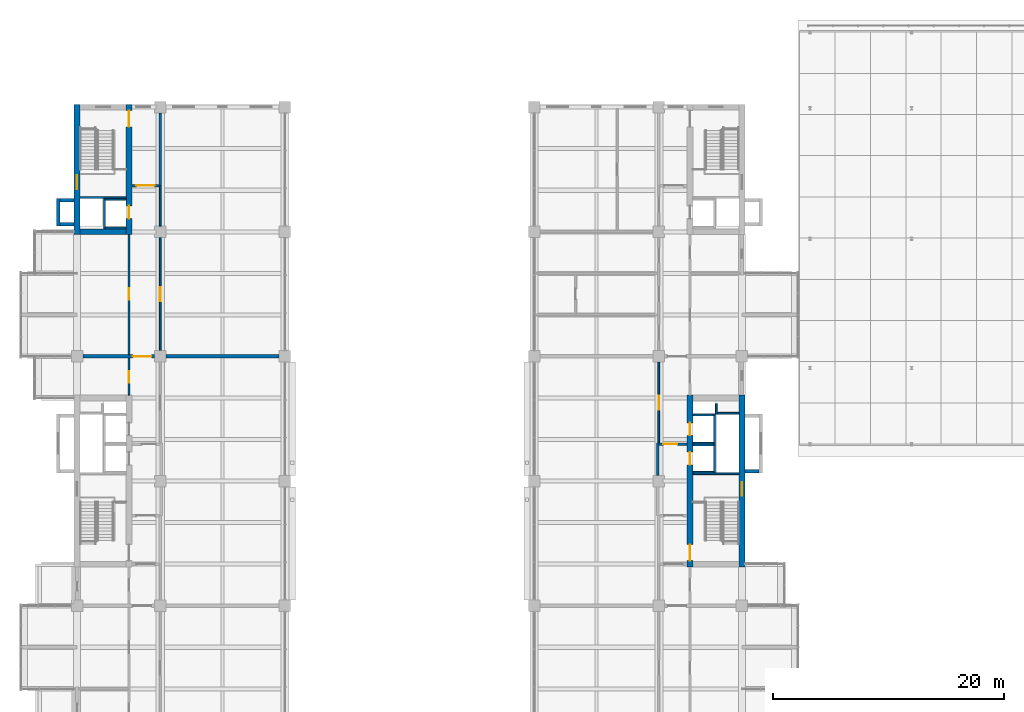
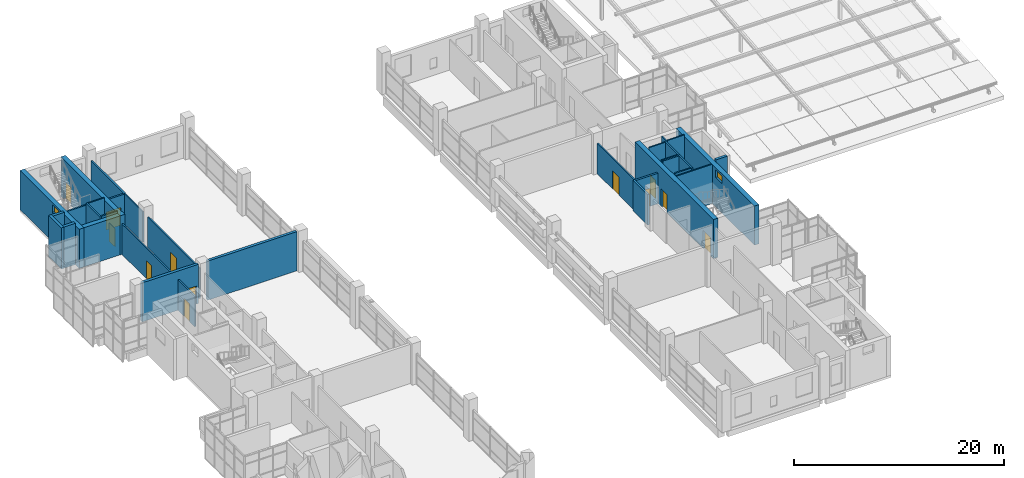
# One storey, part 38 of 44: 33 walls, 12 doors, 2 windows, 14 openings.
"""IFC4 building model written with IfcOpenShell, lengths in metres."""

from ifc_helpers import new_model, si_unit, direction, frame, frame_2d, origin, place, context, subcontext, project, spatial, rectangle, extrude, material, layer, layer_set, type_object, element, fill, save


model = new_model("IFC4")

# Units and contexts
model_context = context("Model", 3, precision=1e-05, world=origin(), true_north=direction((0.0, 1.0)))
body_context = subcontext(model_context, "Body", "Model", "MODEL_VIEW")
ifc_project = project(units=[si_unit("LENGTHUNIT", "METRE"), si_unit("AREAUNIT", "SQUARE_METRE"), si_unit("VOLUMEUNIT", "CUBIC_METRE"), si_unit("PLANEANGLEUNIT", "RADIAN"), si_unit("MASSUNIT", "GRAM", prefix="KILO")], contexts=[model_context])

# Site, building, storey
site_placement = place(None, origin())
site = spatial("IfcSite", under=ifc_project, at=site_placement, CompositionType="ELEMENT")
building_placement = place(site_placement, origin())
building = spatial("IfcBuilding", under=site, at=building_placement, Name="Basin Gate Institute", CompositionType="ELEMENT")
storey_placement = place(building_placement, frame((0.0, 0.0, 27.0)))
storey = spatial("IfcBuildingStorey", under=building, at=storey_placement, Name="L05", CompositionType="ELEMENT", Elevation=27.0)

# Wall, opening, door
ifc_material_1 = material(Name="Fire-rated masonry", Category="masonry")
ifc_layer_1 = layer(ifc_material_1, 0.199951171875)
ifc_layer_set_1 = layer_set([ifc_layer_1], Name="Enclosure wall PW2 200 EI 60")
wall_type_1 = type_object("IfcWallType", Name="Enclosure wall PW2 200 EI 60", PredefinedType="PARTITIONING", material=ifc_layer_set_1)
wall_1_placement = place(storey_placement, frame((65.949951171875, 93.10009765625, 0.0), z_axis=(0.0, 0.0, 1.0), x_axis=(1.0, 0.0, 0.0)))
wall_1 = element("IfcWall", 1, at=wall_1_placement, inside=storey, type_object=wall_type_1, material=ifc_layer_set_1, Name="Smoke lobby enclosure wall PW2 L05", PredefinedType="PARTITIONING", context=body_context, shape_type="SweptSolid", body=[
    extrude(rectangle(XDim=2.35009765625, YDim=0.199951171875, at=frame_2d((1.175048828125, 0.0))), origin(), (0.0, 0.0, 1.0), 3.550048828125),
])
opening_1_placement = place(wall_1_placement, frame((0.375, 0.0, 0.0)))
opening_1 = element("IfcOpeningElement", 2, at=opening_1_placement, cuts=wall_1, Name="Opening DR279", PredefinedType="OPENING", context=body_context, shape_type="SweptSolid", body=[
    extrude(rectangle(XDim=1.60009765625, YDim=2.10009765625, at=frame_2d((0.800048828125, 1.050048828125))), frame((0.0, 0.10986328125, 0.0), z_axis=(0.0, -1.0, 0.0), x_axis=(1.0, 0.0, 0.0)), (0.0, 0.0, 1.0), 0.219970703125),
])
ifc_material_2 = material(Name="Steel fire door", Category="steel")
door_type_1 = type_object("IfcDoorType", Name="FD60 Smoke lobby door pair D8", OperationType="DOUBLE_DOOR_SINGLE_SWING", PredefinedType="DOOR", material=ifc_material_2)
door_1_placement = place(opening_1_placement, origin())
door_1 = element("IfcDoor", 3, at=door_1_placement, inside=storey, type_object=door_type_1, material=ifc_material_2, Name="Smoke lobby door SS3 L05", OperationType="DOUBLE_DOOR_SINGLE_SWING", OverallHeight=2.10009765625, OverallWidth=1.60009765625, PredefinedType="DOOR", context=body_context, shape_type="SweptSolid", body=[
    extrude(rectangle(XDim=1.60009765625, YDim=2.10009765625, at=frame_2d((0.800048828125, 1.050048828125))), frame((0.0, 0.02490234375, 0.0), z_axis=(0.0, -1.0, 0.0), x_axis=(1.0, 0.0, 0.0)), (0.0, 0.0, 1.0), 0.050048828125),
])
fill(opening_1, door_1)

# Wall
wall_2_placement = place(storey_placement, frame((68.39990234375, 93.10009765625, 0.0), z_axis=(0.0, 0.0, 1.0), x_axis=(0.0, 1.0, 0.0)))
element("IfcWall", 4, at=wall_2_placement, inside=storey, type_object=wall_type_1, material=ifc_layer_set_1, Name="Smoke lobby enclosure wall PW2 L05", PredefinedType="PARTITIONING", context=body_context, shape_type="SweptSolid", body=[
    extrude(rectangle(XDim=6.2998046875, YDim=0.199951171875, at=frame_2d((3.14990234375, 0.0))), origin(), (0.0, 0.0, 1.0), 3.550048828125),
])

# Wall, opening, door
wall_3_placement = place(storey_placement, frame((114.050048828125, 70.699951171875, 0.0), z_axis=(0.0, 0.0, 1.0), x_axis=(-1.0, 0.0, 0.0)))
wall_3 = element("IfcWall", 5, at=wall_3_placement, inside=storey, type_object=wall_type_1, material=ifc_layer_set_1, Name="Emergency lift lobby wall PW2 L05", PredefinedType="PARTITIONING", context=body_context, shape_type="SweptSolid", body=[
    extrude(rectangle(XDim=2.449951171875, YDim=0.199951171875, at=frame_2d((1.22509765625, 0.0))), origin(), (0.0, 0.0, 1.0), 3.550048828125),
])
opening_2_placement = place(wall_3_placement, frame((0.85009765625, 0.0, 0.0)))
opening_2 = element("IfcOpeningElement", 6, at=opening_2_placement, cuts=wall_3, Name="Opening DR260", PredefinedType="OPENING", context=body_context, shape_type="SweptSolid", body=[
    extrude(rectangle(XDim=1.199951171875, YDim=2.10009765625, at=frame_2d((0.60009765625, 1.050048828125))), frame((0.0, 0.10986328125, 0.0), z_axis=(0.0, -1.0, 0.0), x_axis=(1.0, 0.0, 0.0)), (0.0, 0.0, 1.0), 0.219970703125),
])
ifc_material_3 = material(Name="Steel fire door", Category="steel")
door_type_2 = type_object("IfcDoorType", Name="FD60 Emergency lift lobby door D9", OperationType="NOTDEFINED", PredefinedType="DOOR", material=ifc_material_3)
door_2_placement = place(opening_2_placement, origin())
door_2 = element("IfcDoor", 7, at=door_2_placement, inside=storey, type_object=door_type_2, material=ifc_material_3, Name="Emergency lift lobby door LF2 L05", OperationType="SINGLE_SWING_RIGHT", OverallHeight=2.10009765625, OverallWidth=1.199951171875, PredefinedType="DOOR", context=body_context, shape_type="SweptSolid", body=[
    extrude(rectangle(XDim=1.199951171875, YDim=2.10009765625, at=frame_2d((0.60009765625, 1.050048828125))), frame((0.0, 0.02490234375, 0.0), z_axis=(0.0, -1.0, 0.0), x_axis=(1.0, 0.0, 0.0)), (0.0, 0.0, 1.0), 0.050048828125),
])
fill(opening_2, door_2)

# Wall
wall_4_placement = place(storey_placement, frame((111.5, 68.0, 0.0), z_axis=(0.0, 0.0, 1.0), x_axis=(0.0, 1.0, 0.0)))
element("IfcWall", 8, at=wall_4_placement, inside=storey, type_object=wall_type_1, material=ifc_layer_set_1, Name="Emergency lift lobby wall PW2 L05", PredefinedType="PARTITIONING", context=body_context, shape_type="SweptSolid", body=[
    extrude(rectangle(XDim=2.800048828125, YDim=0.199951171875, at=frame_2d((1.39990234375, 0.0))), origin(), (0.0, 0.0, 1.0), 3.550048828125),
])

# Wall, opening, door
ifc_material_4 = material(Name="Gypsum board on steel stud", Category="steel")
ifc_layer_2 = layer(ifc_material_4, 0.14990234375)
ifc_layer_set_2 = layer_set([ifc_layer_2], Name="Gypsum board on steel stud")
wall_type_2 = type_object("IfcWallType", Name="Partition PW1 150 EI 60", PredefinedType="PARTITIONING", material=ifc_layer_set_2)
wall_5_placement = place(storey_placement, frame((65.699951171875, 74.949951171875, 0.0), z_axis=(0.0, 0.0, 1.0), x_axis=(0.0, 1.0, 0.0)))
wall_5 = element("IfcWall", 9, at=wall_5_placement, inside=storey, type_object=wall_type_2, material=ifc_layer_set_2, Name="Corridor wall PW1 L05", PredefinedType="PARTITIONING", context=body_context, shape_type="SweptSolid", body=[
    extrude(rectangle(XDim=3.199951171875, YDim=0.14990234375, at=frame_2d((1.60009765625, 0.0))), origin(), (0.0, 0.0, 1.0), 3.550048828125),
])
opening_3_placement = place(wall_5_placement, frame((1.050048828125, 0.0, 0.0)))
opening_3 = element("IfcOpeningElement", 10, at=opening_3_placement, cuts=wall_5, Name="Opening DR270", PredefinedType="OPENING", context=body_context, shape_type="SweptSolid", body=[
    extrude(rectangle(XDim=1.0, YDim=2.10009765625, at=frame_2d((0.5, 1.050048828125))), frame((0.0, 0.0849609375, 0.0), z_axis=(0.0, -1.0, 0.0), x_axis=(1.0, 0.0, 0.0)), (0.0, 0.0, 1.0), 0.169921875),
])
ifc_material_5 = material(Name="Timber fire door", Category="wood")
door_type_3 = type_object("IfcDoorType", Name="FD30 Office door D1", OperationType="NOTDEFINED", PredefinedType="DOOR", material=ifc_material_5)
door_3_placement = place(opening_3_placement, origin())
door_3 = element("IfcDoor", 11, at=door_3_placement, inside=storey, type_object=door_type_3, material=ifc_material_5, Name="Door to Meeting Room 0504 L05", OperationType="SINGLE_SWING_LEFT", OverallHeight=2.10009765625, OverallWidth=1.0, PredefinedType="DOOR", context=body_context, shape_type="SweptSolid", body=[
    extrude(rectangle(XDim=1.0, YDim=2.10009765625, at=frame_2d((0.5, 1.050048828125))), frame((0.0, 0.02490234375, 0.0), z_axis=(0.0, -1.0, 0.0), x_axis=(1.0, 0.0, 0.0)), (0.0, 0.0, 1.0), 0.050048828125),
])
fill(opening_3, door_3)

wall_6_placement = place(storey_placement, frame((65.699951171875, 78.449951171875, 0.0), z_axis=(0.0, 0.0, 1.0), x_axis=(0.0, 1.0, 0.0)))
wall_6 = element("IfcWall", 12, at=wall_6_placement, inside=storey, type_object=wall_type_2, material=ifc_layer_set_2, Name="Corridor wall PW1 L05", PredefinedType="PARTITIONING", context=body_context, shape_type="SweptSolid", body=[
    extrude(rectangle(XDim=10.400146484375, YDim=0.14990234375, at=frame_2d((5.2001953125, 0.0))), origin(), (0.0, 0.0, 1.0), 3.550048828125),
])
opening_4_placement = place(wall_6_placement, frame((4.75, 0.0, 0.0)))
opening_4 = element("IfcOpeningElement", 13, at=opening_4_placement, cuts=wall_6, Name="Opening DR269", PredefinedType="OPENING", context=body_context, shape_type="SweptSolid", body=[
    extrude(rectangle(XDim=1.0, YDim=2.10009765625, at=frame_2d((0.5, 1.050048828125))), frame((0.0, 0.0849609375, 0.0), z_axis=(0.0, -1.0, 0.0), x_axis=(1.0, 0.0, 0.0)), (0.0, 0.0, 1.0), 0.169921875),
])
door_4_placement = place(opening_4_placement, origin())
door_4 = element("IfcDoor", 14, at=door_4_placement, inside=storey, type_object=door_type_3, material=ifc_material_5, Name="Door to Library Carrel Room 0505 L05", OperationType="SINGLE_SWING_LEFT", OverallHeight=2.10009765625, OverallWidth=1.0, PredefinedType="DOOR", context=body_context, shape_type="SweptSolid", body=[
    extrude(rectangle(XDim=1.0, YDim=2.10009765625, at=frame_2d((0.5, 1.050048828125))), frame((0.0, 0.02490234375, 0.0), z_axis=(0.0, -1.0, 0.0), x_axis=(1.0, 0.0, 0.0)), (0.0, 0.0, 1.0), 0.050048828125),
])
fill(opening_4, door_4)

wall_7_placement = place(storey_placement, frame((68.39990234375, 78.800048828125, 0.0), z_axis=(0.0, 0.0, 1.0), x_axis=(0.0, 1.0, 0.0)))
wall_7 = element("IfcWall", 15, at=wall_7_placement, inside=storey, type_object=wall_type_2, material=ifc_layer_set_2, Name="Laboratory corridor wall PW1 L05", PredefinedType="PARTITIONING", context=body_context, shape_type="SweptSolid", body=[
    extrude(rectangle(XDim=9.800048828125, YDim=0.14990234375, at=frame_2d((4.89990234375, 0.0))), origin(), (0.0, 0.0, 1.0), 3.550048828125),
])
opening_5_placement = place(wall_7_placement, frame((4.300048828125, 0.0, 0.0)))
opening_5 = element("IfcOpeningElement", 16, at=opening_5_placement, cuts=wall_7, Name="Opening DR274", PredefinedType="OPENING", context=body_context, shape_type="SweptSolid", body=[
    extrude(rectangle(XDim=1.199951171875, YDim=2.10009765625, at=frame_2d((0.60009765625, 1.050048828125))), frame((0.0, 0.0849609375, 0.0), z_axis=(0.0, -1.0, 0.0), x_axis=(1.0, 0.0, 0.0)), (0.0, 0.0, 1.0), 0.169921875),
])
ifc_material_6 = material(Name="Timber fire door", Category="wood")
door_type_4 = type_object("IfcDoorType", Name="FD30 Laboratory door D2", OperationType="DOUBLE_DOOR_SINGLE_SWING", PredefinedType="DOOR", material=ifc_material_6)
door_5_placement = place(opening_5_placement, frame((1.199951171875, 0.0, 0.0), z_axis=(0.0, 0.0, 1.0), x_axis=(-1.0, 0.0, 0.0)))
door_5 = element("IfcDoor", 17, at=door_5_placement, inside=storey, type_object=door_type_4, material=ifc_material_6, Name="Door to Wet Laboratory 0516 L05", OperationType="DOUBLE_DOOR_SINGLE_SWING", OverallHeight=2.10009765625, OverallWidth=1.199951171875, PredefinedType="DOOR", context=body_context, shape_type="SweptSolid", body=[
    extrude(rectangle(XDim=1.199951171875, YDim=2.10009765625, at=frame_2d((0.60009765625, 1.050048828125))), frame((0.0, 0.02490234375, 0.0), z_axis=(0.0, -1.0, 0.0), x_axis=(1.0, 0.0, 0.0)), (0.0, 0.0, 1.0), 0.050048828125),
])
fill(opening_5, door_5)

# Wall
wall_8_placement = place(storey_placement, frame((68.39990234375, 89.60009765625, 0.0), z_axis=(0.0, 0.0, 1.0), x_axis=(0.0, 1.0, 0.0)))
element("IfcWall", 18, at=wall_8_placement, inside=storey, type_object=wall_type_2, material=ifc_layer_set_2, Name="Laboratory corridor wall PW1 L05", PredefinedType="PARTITIONING", context=body_context, shape_type="SweptSolid", body=[
    extrude(rectangle(XDim=3.5, YDim=0.14990234375, at=frame_2d((1.75, 0.0))), origin(), (0.0, 0.0, 1.0), 3.550048828125),
])

# Wall, opening, door
wall_9_placement = place(storey_placement, frame((111.60009765625, 70.800048828125, 0.0), z_axis=(0.0, 0.0, 1.0), x_axis=(0.0, 1.0, 0.0)))
wall_9 = element("IfcWall", 19, at=wall_9_placement, inside=storey, type_object=wall_type_2, material=ifc_layer_set_2, Name="Laboratory corridor wall PW1 L05", PredefinedType="PARTITIONING", context=body_context, shape_type="SweptSolid", body=[
    extrude(rectangle(XDim=7.0, YDim=0.14990234375, at=frame_2d((3.5, 0.0))), origin(), (0.0, 0.0, 1.0), 3.550048828125),
])
opening_6_placement = place(wall_9_placement, frame((2.89990234375, 0.0, 0.0)))
opening_6 = element("IfcOpeningElement", 20, at=opening_6_placement, cuts=wall_9, Name="Opening DR253", PredefinedType="OPENING", context=body_context, shape_type="SweptSolid", body=[
    extrude(rectangle(XDim=1.199951171875, YDim=2.10009765625, at=frame_2d((0.60009765625, 1.050048828125))), frame((0.0, 0.0849609375, 0.0), z_axis=(0.0, -1.0, 0.0), x_axis=(1.0, 0.0, 0.0)), (0.0, 0.0, 1.0), 0.169921875),
])
door_6_placement = place(opening_6_placement, origin())
door_6 = element("IfcDoor", 21, at=door_6_placement, inside=storey, type_object=door_type_4, material=ifc_material_6, Name="Door to Instrument Room 0567 L05", OperationType="DOUBLE_DOOR_SINGLE_SWING", OverallHeight=2.10009765625, OverallWidth=1.199951171875, PredefinedType="DOOR", context=body_context, shape_type="SweptSolid", body=[
    extrude(rectangle(XDim=1.199951171875, YDim=2.10009765625, at=frame_2d((0.60009765625, 1.050048828125))), frame((0.0, 0.02490234375, 0.0), z_axis=(0.0, -1.0, 0.0), x_axis=(1.0, 0.0, 0.0)), (0.0, 0.0, 1.0), 0.050048828125),
])
fill(opening_6, door_6)

# Walls
ifc_material_7 = material(Name="Concrete 40 MPa", Category="concrete")
ifc_layer_3 = layer(ifc_material_7, 0.14990234375)
ifc_layer_set_3 = layer_set([ifc_layer_3], Name="Concrete 40 MPa")
wall_type_3 = type_object("IfcWallType", Name="Wall LS1 lift shaft enclosure R120", PredefinedType="SOLIDWALL", material=ifc_layer_set_3)
wall_10_placement = place(storey_placement, frame((63.574951171875, 92.0, 0.0), z_axis=(0.0, 0.0, 1.0), x_axis=(0.0, -1.0, 0.0)))
element("IfcWall", 22, at=wall_10_placement, inside=storey, type_object=wall_type_3, material=ifc_layer_set_3, Name="Lift shaft enclosure LP3 L05 UL", PredefinedType="SOLIDWALL", context=body_context, shape_type="SweptSolid", body=[
    extrude(rectangle(XDim=2.64990234375, YDim=0.14990234375, at=frame_2d((1.324951171875, 0.0))), origin(), (0.0, 0.0, 1.0), 4.800048828125),
])
for number, where, z_axis, x_axis, name in (
    (23, (63.64990234375, 91.925048828125, 0.0), (0.0, 0.0, 1.0), (1.0, 0.0, 0.0), "Lift shaft enclosure LP3 L05 RL"),
    (24, (63.64990234375, 89.425048828125, 0.0), (0.0, 0.0, 1.0), (1.0, 0.0, 0.0), "Lift shaft enclosure LP3 L05 RH"),
):
    element("IfcWall", number, at=place(storey_placement, frame(where, z_axis=z_axis, x_axis=x_axis)), inside=storey, type_object=wall_type_3, material=ifc_layer_set_3, Name=name, PredefinedType="SOLIDWALL", context=body_context, shape_type="SweptSolid", body=[
        extrude(rectangle(XDim=1.800048828125, YDim=0.14990234375, at=frame_2d((0.89990234375, 0.0))), origin(), (0.0, 0.0, 1.0), 4.800048828125),
    ])
wall_11_placement = place(storey_placement, frame((116.425048828125, 68.199951171875, 0.0), z_axis=(0.0, 0.0, 1.0), x_axis=(0.0, 1.0, 0.0)))
element("IfcWall", 25, at=wall_11_placement, inside=storey, type_object=wall_type_3, material=ifc_layer_set_3, Name="Lift shaft enclosure LF2 L05 UL", PredefinedType="SOLIDWALL", context=body_context, shape_type="SweptSolid", body=[
    extrude(rectangle(XDim=2.5, YDim=0.14990234375, at=frame_2d((1.25, 0.0))), origin(), (0.0, 0.0, 1.0), 4.800048828125),
])
for number, where, z_axis, x_axis, name in (
    (26, (116.35009765625, 68.27490234375, 0.0), (0.0, 0.0, 1.0), (-1.0, 0.0, 0.0), "Lift shaft enclosure LF2 L05 RL"),
    (27, (116.35009765625, 70.625, 0.0), (0.0, 0.0, 1.0), (-1.0, 0.0, 0.0), "Lift shaft enclosure LF2 L05 RH"),
):
    element("IfcWall", number, at=place(storey_placement, frame(where, z_axis=z_axis, x_axis=x_axis)), inside=storey, type_object=wall_type_3, material=ifc_layer_set_3, Name=name, PredefinedType="SOLIDWALL", context=body_context, shape_type="SweptSolid", body=[
        extrude(rectangle(XDim=1.800048828125, YDim=0.14990234375, at=frame_2d((0.89990234375, 0.0))), origin(), (0.0, 0.0, 1.0), 4.800048828125),
    ])
wall_12_placement = place(storey_placement, frame((116.425048828125, 70.699951171875, 0.0), z_axis=(0.0, 0.0, 1.0), x_axis=(0.0, 1.0, 0.0)))
element("IfcWall", 28, at=wall_12_placement, inside=storey, type_object=wall_type_3, material=ifc_layer_set_3, Name="Lift shaft enclosure LP5 L05 UL", PredefinedType="SOLIDWALL", context=body_context, shape_type="SweptSolid", body=[
    extrude(rectangle(XDim=2.60009765625, YDim=0.14990234375, at=frame_2d((1.300048828125, 0.0))), origin(), (0.0, 0.0, 1.0), 4.800048828125),
])
for number, where, z_axis, x_axis, name in (
    (29, (116.35009765625, 70.77490234375, 0.0), (0.0, 0.0, 1.0), (-1.0, 0.0, 0.0), "Lift shaft enclosure LP5 L05 RL"),
    (30, (116.35009765625, 73.22509765625, 0.0), (0.0, 0.0, 1.0), (-1.0, 0.0, 0.0), "Lift shaft enclosure LP5 L05 RH"),
):
    element("IfcWall", number, at=place(storey_placement, frame(where, z_axis=z_axis, x_axis=x_axis)), inside=storey, type_object=wall_type_3, material=ifc_layer_set_3, Name=name, PredefinedType="SOLIDWALL", context=body_context, shape_type="SweptSolid", body=[
        extrude(rectangle(XDim=1.800048828125, YDim=0.14990234375, at=frame_2d((0.89990234375, 0.0))), origin(), (0.0, 0.0, 1.0), 4.800048828125),
    ])
ifc_material_8 = material(Name="Concrete 40 MPa", Category="concrete")
ifc_layer_4 = layer(ifc_material_8, 0.14990234375)
ifc_layer_set_4 = layer_set([ifc_layer_4], Name="Concrete 40 MPa")
wall_type_4 = type_object("IfcWallType", Name="Wall RS1 riser shaft enclosure R120", PredefinedType="SOLIDWALL", material=ifc_layer_set_4)
wall_13_placement = place(storey_placement, frame((118.550048828125, 73.375, 0.0), z_axis=(0.0, 0.0, 1.0), x_axis=(-1.0, 0.0, 0.0)))
element("IfcWall", 31, at=wall_13_placement, inside=storey, type_object=wall_type_4, material=ifc_layer_set_4, Name="Riser shaft enclosure EM L05 N", PredefinedType="SOLIDWALL", context=body_context, shape_type="SweptSolid", body=[
    extrude(rectangle(XDim=1.900146484375, YDim=0.14990234375, at=frame_2d((0.9501953125, 0.0))), origin(), (0.0, 0.0, 1.0), 4.800048828125),
])
wall_14_placement = place(storey_placement, frame((116.574951171875, 73.300048828125, 0.0), z_axis=(0.0, 0.0, 1.0), x_axis=(0.0, 1.0, 0.0)))
element("IfcWall", 32, at=wall_14_placement, inside=storey, type_object=wall_type_4, material=ifc_layer_set_4, Name="Riser shaft enclosure EM L05 W", PredefinedType="SOLIDWALL", context=body_context, shape_type="SweptSolid", body=[
    extrude(rectangle(XDim=0.89990234375, YDim=0.14990234375, at=frame_2d((0.449951171875, 0.0))), origin(), (0.0, 0.0, 1.0), 4.800048828125),
])
ifc_material_9 = material(Name="Concrete 40 MPa", Category="concrete")
ifc_layer_5 = layer(ifc_material_9, 0.14990234375)
ifc_layer_set_5 = layer_set([ifc_layer_5], Name="Concrete 40 MPa")
wall_type_5 = type_object("IfcWallType", Name="Wall SE1 stair enclosure R120", PredefinedType="SOLIDWALL", material=ifc_layer_set_5)
for number, where, z_axis, x_axis, name in (
    (33, (61.449951171875, 92.074951171875, 0.0), (0.0, 0.0, 1.0), (1.0, 0.0, 0.0), "Stair enclosure wall ST-WN L05"),
    (34, (118.550048828125, 68.125, 0.0), (0.0, 0.0, 1.0), (-1.0, 0.0, 0.0), "Stair enclosure wall ST-EM L05"),
):
    element("IfcWall", number, at=place(storey_placement, frame(where, z_axis=z_axis, x_axis=x_axis)), inside=storey, type_object=wall_type_5, material=ifc_layer_set_5, Name=name, PredefinedType="SOLIDWALL", context=body_context, shape_type="SweptSolid", body=[
        extrude(rectangle(XDim=4.0, YDim=0.14990234375, at=frame_2d((2.0, 0.0))), origin(), (0.0, 0.0, 1.0), 4.550048828125),
    ])
ifc_material_10 = material(Name="Concrete 50 MPa", Category="concrete")
ifc_layer_6 = layer(ifc_material_10, 0.300048828125)
ifc_layer_set_6 = layer_set([ifc_layer_6], Name="Concrete 50 MPa")
wall_type_6 = type_object("IfcWallType", Name="Wall SK1 R120", PredefinedType="SHEAR", material=ifc_layer_set_6)
wall_15_placement = place(storey_placement, frame((59.550048828125, 89.60009765625, 0.0), z_axis=(0.0, 0.0, 1.0), x_axis=(0.0, 1.0, 0.0)))
element("IfcWall", 35, at=wall_15_placement, inside=storey, type_object=wall_type_6, material=ifc_layer_set_6, Name="Spine riser stack wall SK1 WN F L05", PredefinedType="SHEAR", context=body_context, shape_type="SweptSolid", body=[
    extrude(rectangle(XDim=2.39990234375, YDim=0.300048828125, at=frame_2d((1.199951171875, 0.0))), origin(), (0.0, 0.0, 1.0), 4.800048828125),
])
for number, where, z_axis, x_axis, name in (
    (36, (60.949951171875, 89.75, 0.0), (0.0, 0.0, 1.0), (-1.0, 0.0, 0.0), "Spine riser stack wall SK1 WN A L05"),
    (37, (60.949951171875, 91.85009765625, 0.0), (0.0, 0.0, 1.0), (-1.0, 0.0, 0.0), "Spine riser stack wall SK1 WN B L05"),
    (38, (119.050048828125, 68.35009765625, 0.0), (0.0, 0.0, 1.0), (1.0, 0.0, 0.0), "Spine riser stack wall SK1 EM A L05"),
):
    element("IfcWall", number, at=place(storey_placement, frame(where, z_axis=z_axis, x_axis=x_axis)), inside=storey, type_object=wall_type_6, material=ifc_layer_set_6, Name=name, PredefinedType="SHEAR", context=body_context, shape_type="SweptSolid", body=[
        extrude(rectangle(XDim=1.25, YDim=0.300048828125, at=frame_2d((0.625, 0.0))), origin(), (0.0, 0.0, 1.0), 4.800048828125),
    ])

# Wall, opening, window
ifc_material_11 = material(Name="Concrete 60 MPa", Category="concrete")
ifc_layer_7 = layer(ifc_material_11, 0.5)
ifc_layer_set_7 = layer_set([ifc_layer_7], Name="Concrete 60 MPa")
wall_type_7 = type_object("IfcWallType", Name="Wall SW1 R120", PredefinedType="SHEAR", material=ifc_layer_set_7)
wall_16_placement = place(storey_placement, frame((61.199951171875, 88.85009765625, 0.0), z_axis=(0.0, 0.0, 1.0), x_axis=(0.0, 1.0, 0.0)))
wall_16 = element("IfcWall", 39, at=wall_16_placement, inside=storey, type_object=wall_type_7, material=ifc_layer_set_7, Name="WALL/L05/WN/L", PredefinedType="SHEAR", context=body_context, shape_type="SweptSolid", body=[
    extrude(rectangle(XDim=11.2998046875, YDim=0.5, at=frame_2d((5.64990234375, 0.0))), origin(), (0.0, 0.0, 1.0), 4.550048828125),
])
opening_7_placement = place(wall_16_placement, frame((3.93994140625, 0.0, 3.39990234375)))
opening_7 = element("IfcOpeningElement", 40, at=opening_7_placement, cuts=wall_16, Name="Opening WT2", PredefinedType="OPENING", context=body_context, shape_type="SweptSolid", body=[
    extrude(rectangle(XDim=1.199951171875, YDim=0.89990234375, at=frame_2d((0.60009765625, 0.449951171875))), frame((0.0, 0.260009765625, 0.0), z_axis=(0.0, -1.0, 0.0), x_axis=(1.0, 0.0, 0.0)), (0.0, 0.0, 1.0), 0.52001953125),
])
ifc_material_12 = material(Name="Fire-resistant glazing in steel-free frame", Category="steel")
window_type = type_object("IfcWindowType", Name="Rated stair window EI 120 WT2", PartitioningType="SINGLE_PANEL", PredefinedType="WINDOW", material=ifc_material_12)
window_1_placement = place(opening_7_placement, origin())
window_1 = element("IfcWindow", 41, at=window_1_placement, inside=storey, type_object=window_type, material=ifc_material_12, Name="Rated stair window EI 120 WN landing L05", OverallHeight=0.89990234375, OverallWidth=1.199951171875, PartitioningType="SINGLE_PANEL", PredefinedType="WINDOW", context=body_context, shape_type="SweptSolid", body=[
    extrude(rectangle(XDim=1.199951171875, YDim=0.89990234375, at=frame_2d((0.60009765625, 0.449951171875))), frame((0.0, 0.030029296875, 0.0), z_axis=(0.0, -1.0, 0.0), x_axis=(1.0, 0.0, 0.0)), (0.0, 0.0, 1.0), 0.06005859375),
])
fill(opening_7, window_1)

# Wall, openings, doors
wall_17_placement = place(storey_placement, frame((65.699951171875, 88.85009765625, 0.0), z_axis=(0.0, 0.0, 1.0), x_axis=(0.0, 1.0, 0.0)))
wall_17 = element("IfcWall", 42, at=wall_17_placement, inside=storey, type_object=wall_type_7, material=ifc_layer_set_7, Name="WALL/L05/WN/C", PredefinedType="SHEAR", context=body_context, shape_type="SweptSolid", body=[
    extrude(rectangle(XDim=11.2998046875, YDim=0.5, at=frame_2d((5.64990234375, 0.0))), origin(), (0.0, 0.0, 1.0), 4.550048828125),
])
opening_8_placement = place(wall_17_placement, frame((9.35009765625, 0.0, 0.0)))
opening_8 = element("IfcOpeningElement", 43, at=opening_8_placement, cuts=wall_17, Name="Opening DS033", PredefinedType="OPENING", context=body_context, shape_type="SweptSolid", body=[
    extrude(rectangle(XDim=1.39990234375, YDim=2.10009765625, at=frame_2d((0.699951171875, 1.050048828125))), frame((0.0, 0.260009765625, 0.0), z_axis=(0.0, -1.0, 0.0), x_axis=(1.0, 0.0, 0.0)), (0.0, 0.0, 1.0), 0.52001953125),
])
opening_9_placement = place(wall_17_placement, frame((1.39990234375, 0.0, 0.0)))
opening_9 = element("IfcOpeningElement", 44, at=opening_9_placement, cuts=wall_17, Name="Opening LD060", PredefinedType="OPENING", context=body_context, shape_type="SweptSolid", body=[
    extrude(rectangle(XDim=1.10009765625, YDim=2.10009765625, at=frame_2d((0.550048828125, 1.050048828125))), frame((0.0, 0.260009765625, 0.0), z_axis=(0.0, -1.0, 0.0), x_axis=(1.0, 0.0, 0.0)), (0.0, 0.0, 1.0), 0.52001953125),
])
ifc_material_13 = material(Name="Steel fire door", Category="steel")
door_type_5 = type_object("IfcDoorType", Name="FD30 Stair enclosure door DS", OperationType="DOUBLE_DOOR_SINGLE_SWING", PredefinedType="DOOR", material=ifc_material_13)
door_7_placement = place(opening_8_placement, origin())
door_7 = element("IfcDoor", 45, at=door_7_placement, inside=storey, type_object=door_type_5, material=ifc_material_13, Name="Stair enclosure door ST-WN L05", OperationType="DOUBLE_DOOR_SINGLE_SWING", OverallHeight=2.10009765625, OverallWidth=1.39990234375, PredefinedType="DOOR", context=body_context, shape_type="SweptSolid", body=[
    extrude(rectangle(XDim=1.39990234375, YDim=2.10009765625, at=frame_2d((0.699951171875, 1.050048828125))), frame((0.0, 0.02490234375, 0.0), z_axis=(0.0, -1.0, 0.0), x_axis=(1.0, 0.0, 0.0)), (0.0, 0.0, 1.0), 0.050048828125),
])
fill(opening_8, door_7)
ifc_material_14 = material(Name="Stainless steel", Category="steel")
door_type_6 = type_object("IfcDoorType", Name="FD60 Lift landing door LD", OperationType="SLIDING_TO_LEFT", PredefinedType="DOOR", material=ifc_material_14)
door_8_placement = place(opening_9_placement, origin())
door_8 = element("IfcDoor", 46, at=door_8_placement, inside=storey, type_object=door_type_6, material=ifc_material_14, Name="Lift landing door LP3 L05", OperationType="SLIDING_TO_LEFT", OverallHeight=2.10009765625, OverallWidth=1.10009765625, PredefinedType="DOOR", context=body_context, shape_type="SweptSolid", body=[
    extrude(rectangle(XDim=1.10009765625, YDim=2.10009765625, at=frame_2d((0.550048828125, 1.050048828125))), frame((0.0, 0.02490234375, 0.0), z_axis=(0.0, -1.0, 0.0), x_axis=(1.0, 0.0, 0.0)), (0.0, 0.0, 1.0), 0.050048828125),
])
fill(opening_9, door_8)

# Wall
wall_18_placement = place(storey_placement, frame((61.449951171875, 89.10009765625, 0.0), z_axis=(0.0, 0.0, 1.0), x_axis=(1.0, 0.0, 0.0)))
element("IfcWall", 47, at=wall_18_placement, inside=storey, type_object=wall_type_7, material=ifc_layer_set_7, Name="WALL/L05/WN/S", PredefinedType="SHEAR", context=body_context, shape_type="SweptSolid", body=[
    extrude(rectangle(XDim=4.0, YDim=0.5, at=frame_2d((2.0, 0.0))), origin(), (0.0, 0.0, 1.0), 4.550048828125),
])

# Wall, opening, window
wall_19_placement = place(storey_placement, frame((118.800048828125, 60.050048828125, 0.0), z_axis=(0.0, 0.0, 1.0), x_axis=(0.0, 1.0, 0.0)))
wall_19 = element("IfcWall", 48, at=wall_19_placement, inside=storey, type_object=wall_type_7, material=ifc_layer_set_7, Name="WALL/L05/EM/L", PredefinedType="SHEAR", context=body_context, shape_type="SweptSolid", body=[
    extrude(rectangle(XDim=14.89990234375, YDim=0.5, at=frame_2d((7.449951171875, 0.0))), origin(), (0.0, 0.0, 1.0), 4.550048828125),
])
opening_10_placement = place(wall_19_placement, frame((6.159912109375, 0.0, 3.39990234375)))
opening_10 = element("IfcOpeningElement", 49, at=opening_10_placement, cuts=wall_19, Name="Opening WT2", PredefinedType="OPENING", context=body_context, shape_type="SweptSolid", body=[
    extrude(rectangle(XDim=1.199951171875, YDim=0.89990234375, at=frame_2d((0.60009765625, 0.449951171875))), frame((0.0, 0.260009765625, 0.0), z_axis=(0.0, -1.0, 0.0), x_axis=(1.0, 0.0, 0.0)), (0.0, 0.0, 1.0), 0.52001953125),
])
window_2_placement = place(opening_10_placement, origin())
window_2 = element("IfcWindow", 50, at=window_2_placement, inside=storey, type_object=window_type, material=ifc_material_12, Name="Rated stair window EI 120 EM landing L05", OverallHeight=0.89990234375, OverallWidth=1.199951171875, PartitioningType="SINGLE_PANEL", PredefinedType="WINDOW", context=body_context, shape_type="SweptSolid", body=[
    extrude(rectangle(XDim=1.199951171875, YDim=0.89990234375, at=frame_2d((0.60009765625, 0.449951171875))), frame((0.0, 0.030029296875, 0.0), z_axis=(0.0, -1.0, 0.0), x_axis=(1.0, 0.0, 0.0)), (0.0, 0.0, 1.0), 0.06005859375),
])
fill(opening_10, window_2)

# Wall, openings, doors
wall_20_placement = place(storey_placement, frame((114.300048828125, 60.050048828125, 0.0), z_axis=(0.0, 0.0, 1.0), x_axis=(0.0, 1.0, 0.0)))
wall_20 = element("IfcWall", 51, at=wall_20_placement, inside=storey, type_object=wall_type_7, material=ifc_layer_set_7, Name="WALL/L05/EM/C", PredefinedType="SHEAR", context=body_context, shape_type="SweptSolid", body=[
    extrude(rectangle(XDim=14.89990234375, YDim=0.5, at=frame_2d((7.449951171875, 0.0))), origin(), (0.0, 0.0, 1.0), 4.550048828125),
])
opening_11_placement = place(wall_20_placement, frame((0.550048828125, 0.0, 0.0)))
opening_11 = element("IfcOpeningElement", 52, at=opening_11_placement, cuts=wall_20, Name="Opening DS035", PredefinedType="OPENING", context=body_context, shape_type="SweptSolid", body=[
    extrude(rectangle(XDim=1.39990234375, YDim=2.10009765625, at=frame_2d((0.699951171875, 1.050048828125))), frame((0.0, 0.260009765625, 0.0), z_axis=(0.0, -1.0, 0.0), x_axis=(1.0, 0.0, 0.0)), (0.0, 0.0, 1.0), 0.52001953125),
])
opening_12_placement = place(wall_20_placement, frame((8.85009765625, 0.0, 0.0)))
opening_12 = element("IfcOpeningElement", 53, at=opening_12_placement, cuts=wall_20, Name="Opening LD088", PredefinedType="OPENING", context=body_context, shape_type="SweptSolid", body=[
    extrude(rectangle(XDim=1.10009765625, YDim=2.10009765625, at=frame_2d((0.550048828125, 1.050048828125))), frame((0.0, 0.260009765625, 0.0), z_axis=(0.0, -1.0, 0.0), x_axis=(1.0, 0.0, 0.0)), (0.0, 0.0, 1.0), 0.52001953125),
])
opening_13_placement = place(wall_20_placement, frame((11.39990234375, 0.0, 0.0)))
opening_13 = element("IfcOpeningElement", 54, at=opening_13_placement, cuts=wall_20, Name="Opening LD100", PredefinedType="OPENING", context=body_context, shape_type="SweptSolid", body=[
    extrude(rectangle(XDim=1.10009765625, YDim=2.10009765625, at=frame_2d((0.550048828125, 1.050048828125))), frame((0.0, 0.260009765625, 0.0), z_axis=(0.0, -1.0, 0.0), x_axis=(1.0, 0.0, 0.0)), (0.0, 0.0, 1.0), 0.52001953125),
])
door_9_placement = place(opening_11_placement, frame((1.39990234375, 0.0, 0.0), z_axis=(0.0, 0.0, 1.0), x_axis=(-1.0, 0.0, 0.0)))
door_9 = element("IfcDoor", 55, at=door_9_placement, inside=storey, type_object=door_type_5, material=ifc_material_13, Name="Stair enclosure door ST-EM L05", OperationType="DOUBLE_DOOR_SINGLE_SWING", OverallHeight=2.10009765625, OverallWidth=1.39990234375, PredefinedType="DOOR", context=body_context, shape_type="SweptSolid", body=[
    extrude(rectangle(XDim=1.39990234375, YDim=2.10009765625, at=frame_2d((0.699951171875, 1.050048828125))), frame((0.0, 0.02490234375, 0.0), z_axis=(0.0, -1.0, 0.0), x_axis=(1.0, 0.0, 0.0)), (0.0, 0.0, 1.0), 0.050048828125),
])
fill(opening_11, door_9)
door_10_placement = place(opening_12_placement, origin())
door_10 = element("IfcDoor", 56, at=door_10_placement, inside=storey, type_object=door_type_6, material=ifc_material_14, Name="Lift landing door LF2 L05", OperationType="SLIDING_TO_LEFT", OverallHeight=2.10009765625, OverallWidth=1.10009765625, PredefinedType="DOOR", context=body_context, shape_type="SweptSolid", body=[
    extrude(rectangle(XDim=1.10009765625, YDim=2.10009765625, at=frame_2d((0.550048828125, 1.050048828125))), frame((0.0, 0.02490234375, 0.0), z_axis=(0.0, -1.0, 0.0), x_axis=(1.0, 0.0, 0.0)), (0.0, 0.0, 1.0), 0.050048828125),
])
fill(opening_12, door_10)
door_11_placement = place(opening_13_placement, origin())
door_11 = element("IfcDoor", 57, at=door_11_placement, inside=storey, type_object=door_type_6, material=ifc_material_14, Name="Lift landing door LP5 L05", OperationType="SLIDING_TO_LEFT", OverallHeight=2.10009765625, OverallWidth=1.10009765625, PredefinedType="DOOR", context=body_context, shape_type="SweptSolid", body=[
    extrude(rectangle(XDim=1.10009765625, YDim=2.10009765625, at=frame_2d((0.550048828125, 1.050048828125))), frame((0.0, 0.02490234375, 0.0), z_axis=(0.0, -1.0, 0.0), x_axis=(1.0, 0.0, 0.0)), (0.0, 0.0, 1.0), 0.050048828125),
])
fill(opening_13, door_11)

# Wall, opening, door
ifc_material_15 = material(Name="Concrete 50 MPa", Category="concrete")
ifc_layer_8 = layer(ifc_material_15, 0.300048828125)
ifc_layer_set_8 = layer_set([ifc_layer_8], Name="Concrete 50 MPa")
wall_type_8 = type_object("IfcWallType", Name="Wall XW1 R120", PredefinedType="SHEAR", material=ifc_layer_set_8)
wall_21_placement = place(storey_placement, frame((61.699951171875, 78.300048828125, 0.0), z_axis=(0.0, 0.0, 1.0), x_axis=(1.0, 0.0, 0.0)))
wall_21 = element("IfcWall", 58, at=wall_21_placement, inside=storey, type_object=wall_type_8, material=ifc_layer_set_8, Name="WALL/L05/WXE/1", PredefinedType="SHEAR", context=body_context, shape_type="SweptSolid", body=[
    extrude(rectangle(XDim=6.199951171875, YDim=0.300048828125, at=frame_2d((3.10009765625, 0.0))), origin(), (0.0, 0.0, 1.0), 4.550048828125),
])
opening_14_placement = place(wall_21_placement, frame((4.33740234375, 0.0, 0.0)))
opening_14 = element("IfcOpeningElement", 59, at=opening_14_placement, cuts=wall_21, Name="Opening DR281", PredefinedType="OPENING", context=body_context, shape_type="SweptSolid", body=[
    extrude(rectangle(XDim=1.60009765625, YDim=2.10009765625, at=frame_2d((0.800048828125, 1.050048828125))), frame((0.0, 0.16015625, 0.0), z_axis=(0.0, -1.0, 0.0), x_axis=(1.0, 0.0, 0.0)), (0.0, 0.0, 1.0), 0.320068359375),
])
ifc_material_16 = material(Name="Steel fire door", Category="steel")
door_type_7 = type_object("IfcDoorType", Name="FD60 Compartment door pair D7", OperationType="DOUBLE_DOOR_SINGLE_SWING", PredefinedType="DOOR", material=ifc_material_16)
door_12_placement = place(opening_14_placement, frame((1.60009765625, 0.0, 0.0), z_axis=(0.0, 0.0, 1.0), x_axis=(-1.0, 0.0, 0.0)))
door_12 = element("IfcDoor", 60, at=door_12_placement, inside=storey, type_object=door_type_7, material=ifc_material_16, Name="Compartment door pair L05 W2 L05", OperationType="DOUBLE_DOOR_SINGLE_SWING", OverallHeight=2.10009765625, OverallWidth=1.60009765625, PredefinedType="DOOR", context=body_context, shape_type="SweptSolid", body=[
    extrude(rectangle(XDim=1.60009765625, YDim=2.10009765625, at=frame_2d((0.800048828125, 1.050048828125))), frame((0.0, 0.02490234375, 0.0), z_axis=(0.0, -1.0, 0.0), x_axis=(1.0, 0.0, 0.0)), (0.0, 0.0, 1.0), 0.050048828125),
])
fill(opening_14, door_12)

# Wall
wall_22_placement = place(storey_placement, frame((68.89990234375, 78.300048828125, 0.0), z_axis=(0.0, 0.0, 1.0), x_axis=(1.0, 0.0, 0.0)))
element("IfcWall", 61, at=wall_22_placement, inside=storey, type_object=wall_type_8, material=ifc_layer_set_8, Name="WALL/L05/WXE/2", PredefinedType="SHEAR", context=body_context, shape_type="SweptSolid", body=[
    extrude(rectangle(XDim=9.800048828125, YDim=0.300048828125, at=frame_2d((4.89990234375, 0.0))), origin(), (0.0, 0.0, 1.0), 4.550048828125),
])

save(model, "model.ifc")
